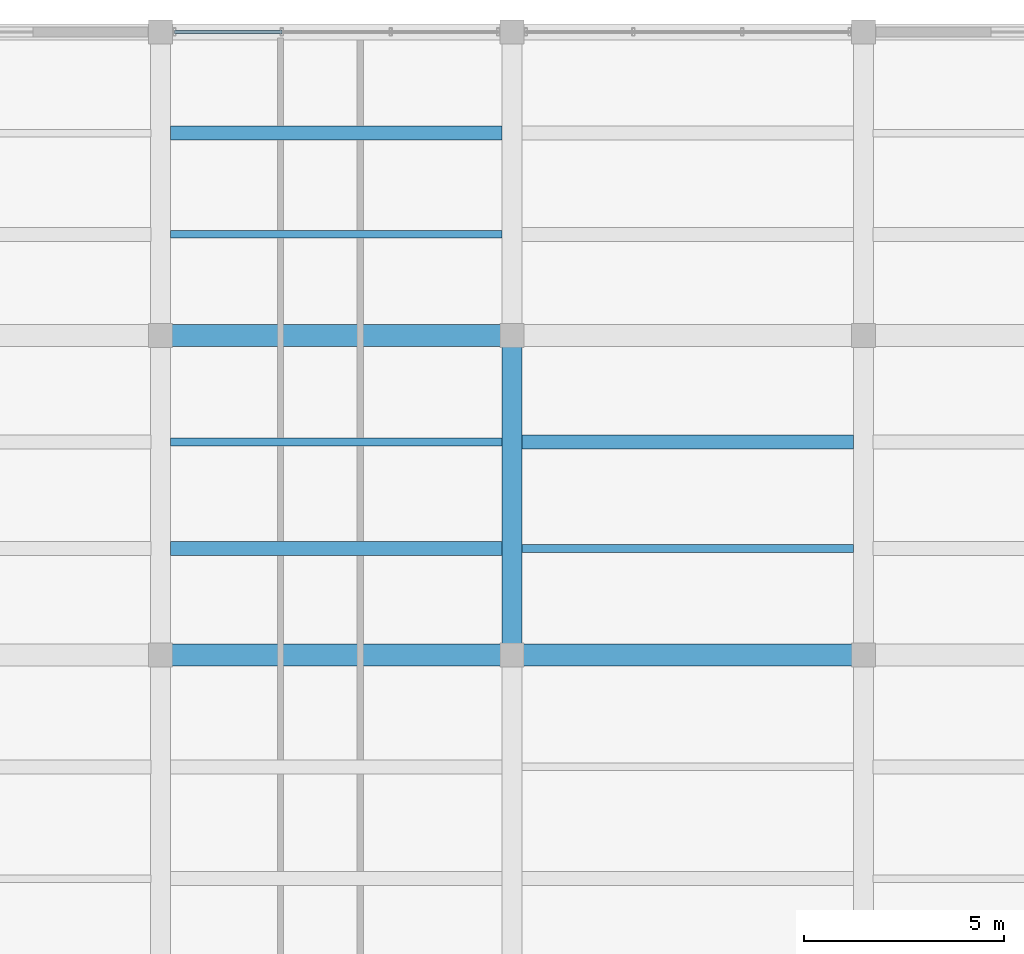
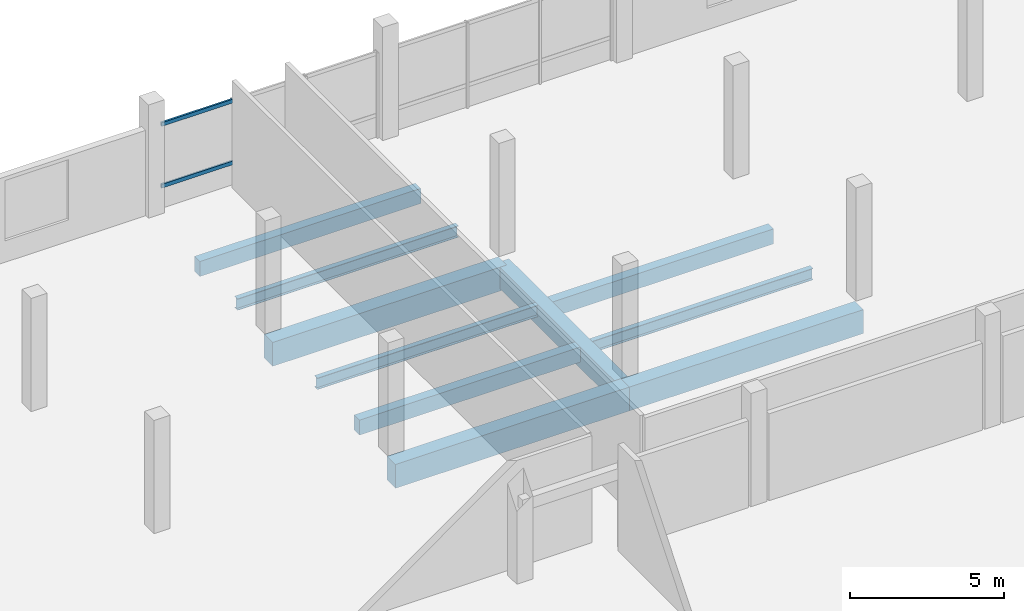
# One storey, part 55 of 77: 10 beams, 2 members, 1 element without a shape of its own.
"""IFC4 building model written with IfcOpenShell, lengths in metres."""

from ifc_helpers import new_model, si_unit, direction, frame, origin, origin_2d, place, context, subcontext, project, spatial, rectangle, hollow_rectangle, i_section, extrude, material, layer, layer_set, material_profile, profile_set, type_object, element, aggregate, save


model = new_model("IFC4")

# Units and contexts
model_context = context("Model", 3, precision=1e-05, world=origin(), true_north=direction((0.0, 1.0)))
body_context = subcontext(model_context, "Body", "Model", "MODEL_VIEW")
ifc_project = project(units=[si_unit("LENGTHUNIT", "METRE"), si_unit("AREAUNIT", "SQUARE_METRE"), si_unit("VOLUMEUNIT", "CUBIC_METRE"), si_unit("PLANEANGLEUNIT", "RADIAN"), si_unit("MASSUNIT", "GRAM", prefix="KILO")], contexts=[model_context])

# Site, building, storey
site_placement = place(None, origin())
site = spatial("IfcSite", under=ifc_project, at=site_placement, CompositionType="ELEMENT")
building_placement = place(site_placement, origin())
building = spatial("IfcBuilding", under=site, at=building_placement, Name="Meriwether Solvik Hall", CompositionType="ELEMENT")
storey_placement = place(building_placement, frame((0.0, 0.0, 9.89990234375)))
storey = spatial("IfcBuildingStorey", under=building, at=storey_placement, Name="L02", CompositionType="ELEMENT", Elevation=9.89990234375)

# Beams
ifc_material_1 = material(Name="Concrete C40/50", Category="concrete")
ifc_material_profile_1 = material_profile(ifc_material_1, rectangle(XDim=0.35009765625, YDim=0.60009765625, at=origin_2d()), Name="RCB-350X600")
ifc_profile_set_1 = profile_set([ifc_material_profile_1], Name="Concrete C40/50")
beam_type_1 = type_object("IfcBeamType", Name="BM-RC-350X600", PredefinedType="JOIST", material=ifc_profile_set_1)
for number, where, z_axis, x_axis, name in (
    (1, (132.044921875, 103.86669921875, -0.75), (1.0, 0.0, 0.0), (0.0, 1.0, 0.0), "Secondary Floor Joist 15/L_J1 (L02)"),
    (2, (132.044921875, 114.2666015625, -0.75), (1.0, 0.0, 0.0), (0.0, 1.0, 0.0), "Secondary Floor Joist 15/M_J2 (L02)"),
    (3, (140.844970703125, 106.533203125, -0.75), (1.0, 0.0, 0.0), (0.0, 1.0, 0.0), "Secondary Floor Joist 16/L_J2 (L02)"),
):
    element("IfcBeam", number, at=place(storey_placement, frame(where, z_axis=z_axis, x_axis=x_axis)), inside=storey, type_object=beam_type_1, Name=name, PredefinedType="JOIST", context=body_context, shape_type="SweptSolid", body=[
        extrude(rectangle(XDim=0.35009765625, YDim=0.60009765625, at=origin_2d()), origin(), (0.0, 0.0, 1.0), 8.31005859375),
    ])
ifc_material_2 = material(Name="Concrete C40/50", Category="concrete")
ifc_material_profile_2 = material_profile(ifc_material_2, rectangle(XDim=0.5, YDim=0.85009765625, at=origin_2d()), Name="RCB-500X850")
ifc_profile_set_2 = profile_set([ifc_material_profile_2], Name="Concrete C40/50")
beam_type_2 = type_object("IfcBeamType", Name="BM-RC-500X850", PredefinedType="BEAM", material=ifc_profile_set_2)
beam_1_placement = place(storey_placement, frame((140.60009765625, 101.199951171875, -0.875), z_axis=(0.0, 1.0, 0.0), x_axis=(-1.0, 0.0, 0.0)))
element("IfcBeam", 4, at=beam_1_placement, inside=storey, type_object=beam_type_2, Name="Podium Girder 16:L-M (L02)", PredefinedType="BEAM", context=body_context, shape_type="SweptSolid", body=[
    extrude(rectangle(XDim=0.5, YDim=0.85009765625, at=origin_2d()), origin(), (0.0, 0.0, 1.0), 8.0),
])
ifc_material_3 = material(Name="Concrete C40/50", Category="concrete")
ifc_material_profile_3 = material_profile(ifc_material_3, rectangle(XDim=0.550048828125, YDim=0.949951171875, at=origin_2d()), Name="RCB-550X950")
ifc_profile_set_3 = profile_set([ifc_material_profile_3], Name="Concrete C40/50")
beam_type_3 = type_object("IfcBeamType", Name="BM-RC-550X950", PredefinedType="BEAM", material=ifc_profile_set_3)
beam_2_placement = place(storey_placement, frame((131.800048828125, 101.199951171875, -0.9248046875), z_axis=(1.0, 0.0, 0.0), x_axis=(0.0, 1.0, 0.0)))
element("IfcBeam", 5, at=beam_2_placement, inside=storey, type_object=beam_type_3, Name="Podium Girder L:15-16 (L02)", PredefinedType="BEAM", context=body_context, shape_type="SweptSolid", body=[
    extrude(rectangle(XDim=0.550048828125, YDim=0.949951171875, at=origin_2d()), origin(), (0.0, 0.0, 1.0), 8.800048828125),
])
beam_3_placement = place(storey_placement, frame((140.60009765625, 101.199951171875, -0.9248046875), z_axis=(1.0, 0.0, 0.0), x_axis=(0.0, 1.0, 0.0)))
element("IfcBeam", 6, at=beam_3_placement, inside=storey, type_object=beam_type_3, Name="Podium Girder L:16-17 (L02)", PredefinedType="BEAM", context=body_context, shape_type="SweptSolid", body=[
    extrude(rectangle(XDim=0.550048828125, YDim=0.949951171875, at=origin_2d()), origin(), (0.0, 0.0, 1.0), 8.7998046875),
])
beam_4_placement = place(storey_placement, frame((131.800048828125, 109.199951171875, -0.9248046875), z_axis=(1.0, 0.0, 0.0), x_axis=(0.0, 1.0, 0.0)))
element("IfcBeam", 7, at=beam_4_placement, inside=storey, type_object=beam_type_3, Name="Podium Girder M:15-16 (L02)", PredefinedType="BEAM", context=body_context, shape_type="SweptSolid", body=[
    extrude(rectangle(XDim=0.550048828125, YDim=0.949951171875, at=origin_2d()), origin(), (0.0, 0.0, 1.0), 8.800048828125),
])
ifc_material_4 = material(Name="Steel A992 Grade 50", Category="steel")
ifc_material_profile_4 = material_profile(ifc_material_4, i_section(OverallWidth=0.19091796875, OverallDepth=0.45703125, WebThickness=0.009033203125, FlangeThickness=0.014404296875, at=origin_2d()), Name="W18X50")
ifc_profile_set_4 = profile_set([ifc_material_profile_4], Name="Steel A992 Grade 50")
beam_type_4 = type_object("IfcBeamType", Name="BM-STL-W18X50", PredefinedType="JOIST", material=ifc_profile_set_4)
for number, where, z_axis, x_axis, name in (
    (8, (132.044921875, 106.533203125, -0.678466796875), (1.0, 0.0, 0.0), (0.0, 1.0, 0.0), "Secondary Floor Joist 15/L_J2 (L02)"),
    (9, (132.044921875, 111.7333984375, -0.678466796875), (1.0, 0.0, 0.0), (0.0, 1.0, 0.0), "Secondary Floor Joist 15/M_J1 (L02)"),
    (10, (140.844970703125, 103.86669921875, -0.678466796875), (1.0, 0.0, 0.0), (0.0, 1.0, 0.0), "Secondary Floor Joist 16/L_J1 (L02)"),
):
    element("IfcBeam", number, at=place(storey_placement, frame(where, z_axis=z_axis, x_axis=x_axis)), inside=storey, type_object=beam_type_4, Name=name, PredefinedType="JOIST", context=body_context, shape_type="SweptSolid", body=[
        extrude(i_section(OverallWidth=0.19091796875, OverallDepth=0.45703125, WebThickness=0.009033203125, FlangeThickness=0.014404296875, at=origin_2d()), origin(), (0.0, 0.0, 1.0), 8.31005859375),
    ])

# Curtain wall, members
ifc_material_5 = material(Name="Thermally Broken Anodised Aluminium 6063-T6 and Low-E Glass", Category="aluminium")
ifc_layer = layer(ifc_material_5, 0.179931640625)
ifc_layer_set = layer_set([ifc_layer], Name="Thermally Broken Anodised Aluminium 6063-T6 and Low-E Glass")
curtain_wall_type = type_object("IfcCurtainWallType", Name="CW-SF-POD-C", PredefinedType="USERDEFINED", material=ifc_layer_set)
curtain_wall_placement = place(storey_placement, origin())
curtain_wall = element("IfcCurtainWall", 11, at=curtain_wall_placement, inside=storey, type_object=curtain_wall_type, Name="Curtain Wall wing_XN_15_20 (L02)", ObjectType="STICK STOREFRONT GLAZING", PredefinedType="USERDEFINED")
ifc_material_6 = material(Name="Anodised Aluminium 6063-T6", Category="aluminium")
ifc_material_profile_5 = material_profile(ifc_material_6, hollow_rectangle(XDim=0.070068359375, YDim=0.14990234375, WallThickness=0.0048828125, at=origin_2d()), Name="CWT-70X150")
ifc_profile_set_5 = profile_set([ifc_material_profile_5], Name="Anodised Aluminium 6063-T6")
member_type = type_object("IfcMemberType", Name="CW-TRN-70X150", PredefinedType="USERDEFINED", material=ifc_profile_set_5)
member_1_placement = place(storey_placement, frame((132.14990234375, 116.800048828125, 0.880126953125), z_axis=(1.0, 0.0, 0.0), x_axis=(0.0, 1.0, 0.0)))
member_1 = element("IfcMember", 12, at=member_1_placement, type_object=member_type, Name="Curtain Wall Transom 1-sill", ObjectType="TRANSOM", PredefinedType="USERDEFINED", context=body_context, shape_type="SweptSolid", body=[
    extrude(hollow_rectangle(XDim=0.070068359375, YDim=0.14990234375, WallThickness=0.0048828125, at=origin_2d()), origin(), (0.0, 0.0, 1.0), 2.6875),
])
member_2_placement = place(storey_placement, frame((132.14990234375, 116.800048828125, 3.335205078125), z_axis=(1.0, 0.0, 0.0), x_axis=(0.0, 1.0, 0.0)))
member_2 = element("IfcMember", 13, at=member_2_placement, type_object=member_type, Name="Curtain Wall Transom 1-head", ObjectType="TRANSOM", PredefinedType="USERDEFINED", context=body_context, shape_type="SweptSolid", body=[
    extrude(hollow_rectangle(XDim=0.070068359375, YDim=0.14990234375, WallThickness=0.0048828125, at=origin_2d()), origin(), (0.0, 0.0, 1.0), 2.6875),
])
aggregate(curtain_wall, [member_1, member_2])

save(model, "model.ifc")
